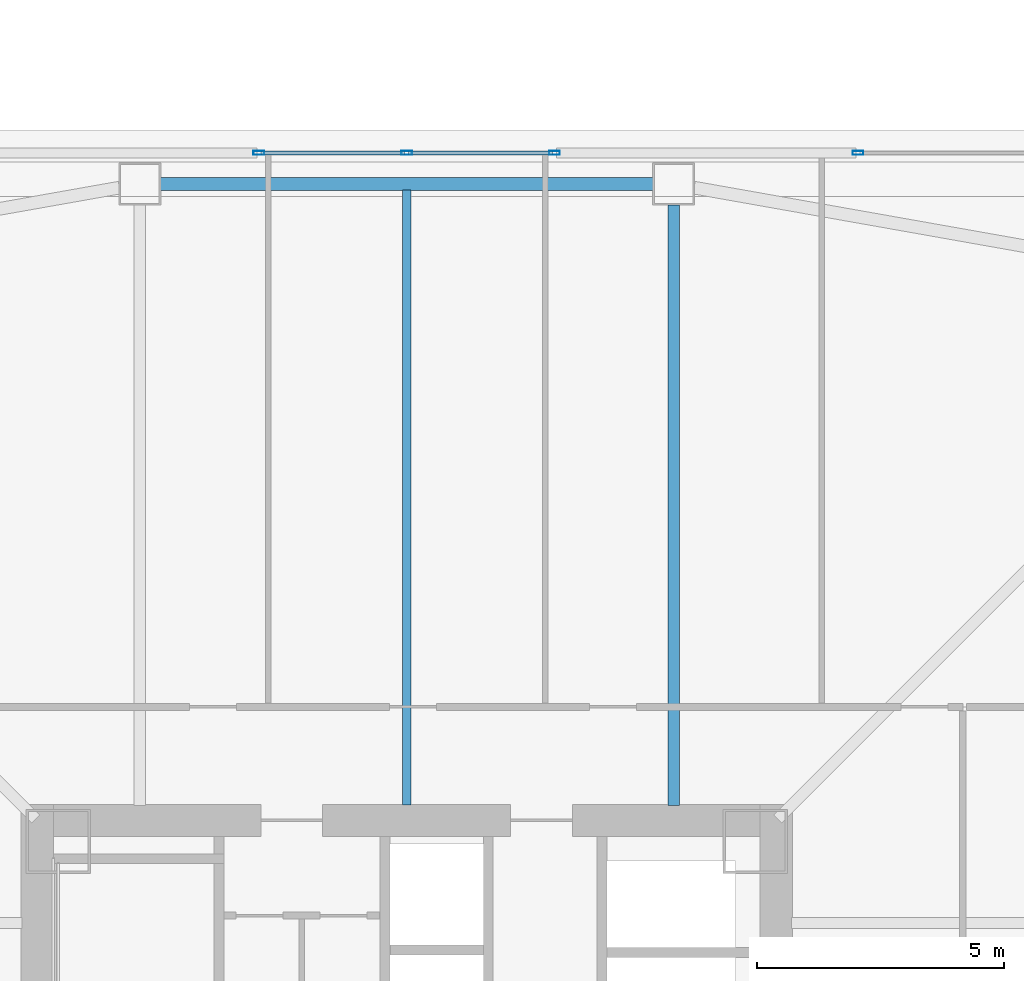
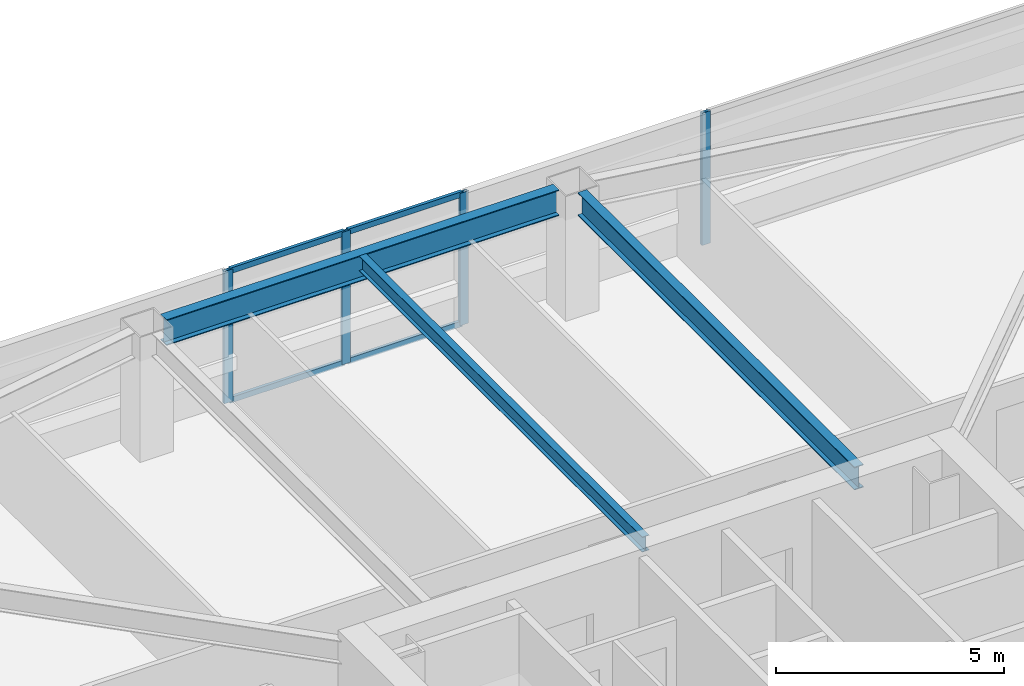
# One storey, part 13 of 44: 8 members, 3 beams, 2 elements without a shape of their own.
"""IFC4 building model written with IfcOpenShell, lengths in metres."""

from ifc_helpers import new_model, si_unit, direction, frame, origin, origin_2d, place, context, subcontext, project, spatial, hollow_rectangle, i_section, extrude, material, material_profile, profile_set, type_object, element, aggregate, save


model = new_model("IFC4")

# Units and contexts
model_context = context("Model", 3, precision=1e-05, world=origin(), true_north=direction((0.0, 1.0)))
body_context = subcontext(model_context, "Body", "Model", "MODEL_VIEW")
ifc_project = project(units=[si_unit("LENGTHUNIT", "METRE"), si_unit("AREAUNIT", "SQUARE_METRE"), si_unit("VOLUMEUNIT", "CUBIC_METRE"), si_unit("PLANEANGLEUNIT", "RADIAN"), si_unit("MASSUNIT", "GRAM", prefix="KILO")], contexts=[model_context])

# Site, building, storey
site_placement = place(None, origin())
site = spatial("IfcSite", under=ifc_project, at=site_placement, CompositionType="ELEMENT")
building_placement = place(site_placement, origin())
building = spatial("IfcBuilding", under=site, at=building_placement, Name="Tashvorn Skyway Center", CompositionType="ELEMENT")
storey_placement = place(building_placement, frame((0.0, 0.0, 95.60009765625)))
storey = spatial("IfcBuildingStorey", under=building, at=storey_placement, Name="L25", CompositionType="ELEMENT", Elevation=95.60009765625)

# Beams
ifc_material_1 = material(Name="Steel ASTM A992 Grade 50", Category="steel")
ifc_material_profile_1 = material_profile(ifc_material_1, i_section(OverallWidth=0.22998046875, OverallDepth=0.616943359375, WebThickness=0.01318359375, FlangeThickness=0.022216796875, at=origin_2d()), Name="W24X94")
ifc_profile_set_1 = profile_set([ifc_material_profile_1], Name="Steel ASTM A992 Grade 50")
beam_type_1 = type_object("IfcBeamType", Name="BM-BEAM-W24X94", PredefinedType="BEAM", material=ifc_profile_set_1)
beam_1_placement = place(storey_placement, frame((47.39990234375, 51.929931640625, 3.04150390625), z_axis=(0.0, -1.0, 0.0), x_axis=(1.0, 0.0, 0.0)))
element("IfcBeam", 1, at=beam_1_placement, inside=storey, type_object=beam_type_1, Name="Tower 1 L25 Primary Floor Girder FC-N1", PredefinedType="BEAM", context=body_context, shape_type="SweptSolid", body=[
    extrude(i_section(OverallWidth=0.22998046875, OverallDepth=0.616943359375, WebThickness=0.01318359375, FlangeThickness=0.022216796875, at=origin_2d()), origin(), (0.0, 0.0, 1.0), 12.14990234375),
])
ifc_material_profile_2 = material_profile(ifc_material_1, i_section(OverallWidth=0.177978515625, OverallDepth=0.406005859375, WebThickness=0.0078125, FlangeThickness=0.0126953125, at=origin_2d()), Name="W16X40")
ifc_profile_set_2 = profile_set([ifc_material_profile_2], Name="Steel ASTM A992 Grade 50")
beam_type_2 = type_object("IfcBeamType", Name="BM-JOIST-W16X40", PredefinedType="JOIST", material=ifc_profile_set_2)
beam_2_placement = place(storey_placement, frame((42.0, 39.7900390625, 3.14697265625), z_axis=(0.0, 1.0, 0.0), x_axis=(-1.0, 0.0, 0.0)))
element("IfcBeam", 2, at=beam_2_placement, inside=storey, type_object=beam_type_2, Name="Tower 1 L25 Secondary Composite Joist JN", PredefinedType="JOIST", context=body_context, shape_type="SweptSolid", body=[
    extrude(i_section(OverallWidth=0.177978515625, OverallDepth=0.406005859375, WebThickness=0.0078125, FlangeThickness=0.0126953125, at=origin_2d()), origin(), (0.0, 0.0, 1.0), 12.43994140625),
])
ifc_material_profile_3 = material_profile(ifc_material_1, i_section(OverallWidth=0.256103515625, OverallDepth=0.693115234375, WebThickness=0.014404296875, FlangeThickness=0.023681640625, at=origin_2d()), Name="W27X114")
ifc_profile_set_3 = profile_set([ifc_material_profile_3], Name="Steel ASTM A992 Grade 50")
beam_type_3 = type_object("IfcBeamType", Name="BM-SPANDREL-W27X114", PredefinedType="SPANDREL", material=ifc_profile_set_3)
beam_3_placement = place(storey_placement, frame((46.97998046875, 52.35009765625, 3.00341796875), z_axis=(-1.0, 0.0, 0.0), x_axis=(0.0, -1.0, 0.0)))
element("IfcBeam", 3, at=beam_3_placement, inside=storey, type_object=beam_type_3, Name="Tower 1 L25 Spandrel Beam 08", PredefinedType="SPANDREL", context=body_context, shape_type="SweptSolid", body=[
    extrude(i_section(OverallWidth=0.256103515625, OverallDepth=0.693115234375, WebThickness=0.014404296875, FlangeThickness=0.023681640625, at=origin_2d()), origin(), (0.0, 0.0, 1.0), 9.9599609375),
])

# Curtain wall, members
ifc_material_2 = material(Name="Thermally broken bronze-anodized aluminium 6063-T6", Category="aluminium")
curtain_wall_type = type_object("IfcCurtainWallType", Name="CW-CW-Z2", PredefinedType="NOTDEFINED", material=ifc_material_2)
curtain_wall_1_placement = place(storey_placement, origin())
curtain_wall_1 = element("IfcCurtainWall", 4, at=curtain_wall_1_placement, inside=storey, type_object=curtain_wall_type, Name="Tower 1 L25 North Unitised Curtain Wall Glazing Group 2", PredefinedType="NOTDEFINED")
ifc_material_profile_4 = material_profile(ifc_material_2, hollow_rectangle(XDim=0.080078125, YDim=0.219970703125, WallThickness=0.0048828125, at=origin_2d()), Name="ALU-MULL-80x220")
ifc_profile_set_4 = profile_set([ifc_material_profile_4], Name="Thermally broken bronze-anodized aluminium 6063-T6")
member_type_1 = type_object("IfcMemberType", Name="CWM-CW-Z2", PredefinedType="MULLION", material=ifc_profile_set_4)
member_1_placement = place(storey_placement, frame((39.010009765625, 52.97998046875, 0.0), z_axis=(0.0, 0.0, 1.0), x_axis=(0.0, 1.0, 0.0)))
member_1 = element("IfcMember", 5, at=member_1_placement, type_object=member_type_1, Name="CW-Z2 mullion 1", PredefinedType="MULLION", context=body_context, shape_type="SweptSolid", body=[
    extrude(hollow_rectangle(XDim=0.080078125, YDim=0.219970703125, WallThickness=0.0048828125, at=origin_2d()), origin(), (0.0, 0.0, 1.0), 3.5498046875),
])
member_2_placement = place(storey_placement, frame((42.0, 52.97998046875, 0.0), z_axis=(0.0, 0.0, 1.0), x_axis=(0.0, 1.0, 0.0)))
member_2 = element("IfcMember", 6, at=member_2_placement, type_object=member_type_1, Name="CW-Z2 mullion 2", PredefinedType="MULLION", context=body_context, shape_type="SweptSolid", body=[
    extrude(hollow_rectangle(XDim=0.080078125, YDim=0.219970703125, WallThickness=0.0048828125, at=origin_2d()), origin(), (0.0, 0.0, 1.0), 3.5498046875),
])
member_3_placement = place(storey_placement, frame((44.989990234375, 52.97998046875, 0.0), z_axis=(0.0, 0.0, 1.0), x_axis=(0.0, 1.0, 0.0)))
member_3 = element("IfcMember", 7, at=member_3_placement, type_object=member_type_1, Name="CW-Z2 mullion 3", PredefinedType="MULLION", context=body_context, shape_type="SweptSolid", body=[
    extrude(hollow_rectangle(XDim=0.080078125, YDim=0.219970703125, WallThickness=0.0048828125, at=origin_2d()), origin(), (0.0, 0.0, 1.0), 3.5498046875),
])

# Curtain wall, member
curtain_wall_2_placement = place(storey_placement, origin())
curtain_wall_2 = element("IfcCurtainWall", 8, at=curtain_wall_2_placement, inside=storey, type_object=curtain_wall_type, Name="Tower 1 L25 North Unitised Curtain Wall Glazing Group 3", PredefinedType="NOTDEFINED")
member_4_placement = place(storey_placement, frame((51.1298828125, 52.97998046875, 0.0), z_axis=(0.0, 0.0, 1.0), x_axis=(0.0, 1.0, 0.0)))
member_4 = element("IfcMember", 9, at=member_4_placement, type_object=member_type_1, Name="CW-Z2 mullion 1", PredefinedType="MULLION", context=body_context, shape_type="SweptSolid", body=[
    extrude(hollow_rectangle(XDim=0.080078125, YDim=0.219970703125, WallThickness=0.0048828125, at=origin_2d()), origin(), (0.0, 0.0, 1.0), 3.5498046875),
])
aggregate(curtain_wall_2, [member_4])

# Member
ifc_material_profile_5 = material_profile(ifc_material_2, hollow_rectangle(XDim=0.080078125, YDim=0.14990234375, WallThickness=0.00439453125, at=origin_2d()), Name="ALU-TRAN-80x150")
ifc_profile_set_5 = profile_set([ifc_material_profile_5], Name="Thermally broken bronze-anodized aluminium 6063-T6")
member_type_2 = type_object("IfcMemberType", Name="CWT-CW-Z2", PredefinedType="USERDEFINED", material=ifc_profile_set_5)
member_5_placement = place(storey_placement, frame((39.050048828125, 52.97998046875, 0.039794921875), z_axis=(1.0, 0.0, 0.0), x_axis=(0.0, 1.0, 0.0)))
member_5 = element("IfcMember", 10, at=member_5_placement, type_object=member_type_2, Name="CW-Z2 transom 1.1", ObjectType="TRANSOM", PredefinedType="USERDEFINED", context=body_context, shape_type="SweptSolid", body=[
    extrude(hollow_rectangle(XDim=0.080078125, YDim=0.14990234375, WallThickness=0.00439453125, at=origin_2d()), origin(), (0.0, 0.0, 1.0), 2.909912109375),
])

member_6_placement = place(storey_placement, frame((39.050048828125, 52.97998046875, 3.510009765625), z_axis=(1.0, 0.0, 0.0), x_axis=(0.0, 1.0, 0.0)))
member_6 = element("IfcMember", 11, at=member_6_placement, type_object=member_type_2, Name="CW-Z2 transom 1.2", ObjectType="TRANSOM", PredefinedType="USERDEFINED", context=body_context, shape_type="SweptSolid", body=[
    extrude(hollow_rectangle(XDim=0.080078125, YDim=0.14990234375, WallThickness=0.00439453125, at=origin_2d()), origin(), (0.0, 0.0, 1.0), 2.909912109375),
])

member_7_placement = place(storey_placement, frame((42.0400390625, 52.97998046875, 0.039794921875), z_axis=(1.0, 0.0, 0.0), x_axis=(0.0, 1.0, 0.0)))
member_7 = element("IfcMember", 12, at=member_7_placement, type_object=member_type_2, Name="CW-Z2 transom 2.1", ObjectType="TRANSOM", PredefinedType="USERDEFINED", context=body_context, shape_type="SweptSolid", body=[
    extrude(hollow_rectangle(XDim=0.080078125, YDim=0.14990234375, WallThickness=0.00439453125, at=origin_2d()), origin(), (0.0, 0.0, 1.0), 2.909912109375),
])

member_8_placement = place(storey_placement, frame((42.0400390625, 52.97998046875, 3.510009765625), z_axis=(1.0, 0.0, 0.0), x_axis=(0.0, 1.0, 0.0)))
member_8 = element("IfcMember", 13, at=member_8_placement, type_object=member_type_2, Name="CW-Z2 transom 2.2", ObjectType="TRANSOM", PredefinedType="USERDEFINED", context=body_context, shape_type="SweptSolid", body=[
    extrude(hollow_rectangle(XDim=0.080078125, YDim=0.14990234375, WallThickness=0.00439453125, at=origin_2d()), origin(), (0.0, 0.0, 1.0), 2.909912109375),
])

aggregate(curtain_wall_1, [member_1, member_2, member_3, member_5, member_6, member_7, member_8])

save(model, "model.ifc")
